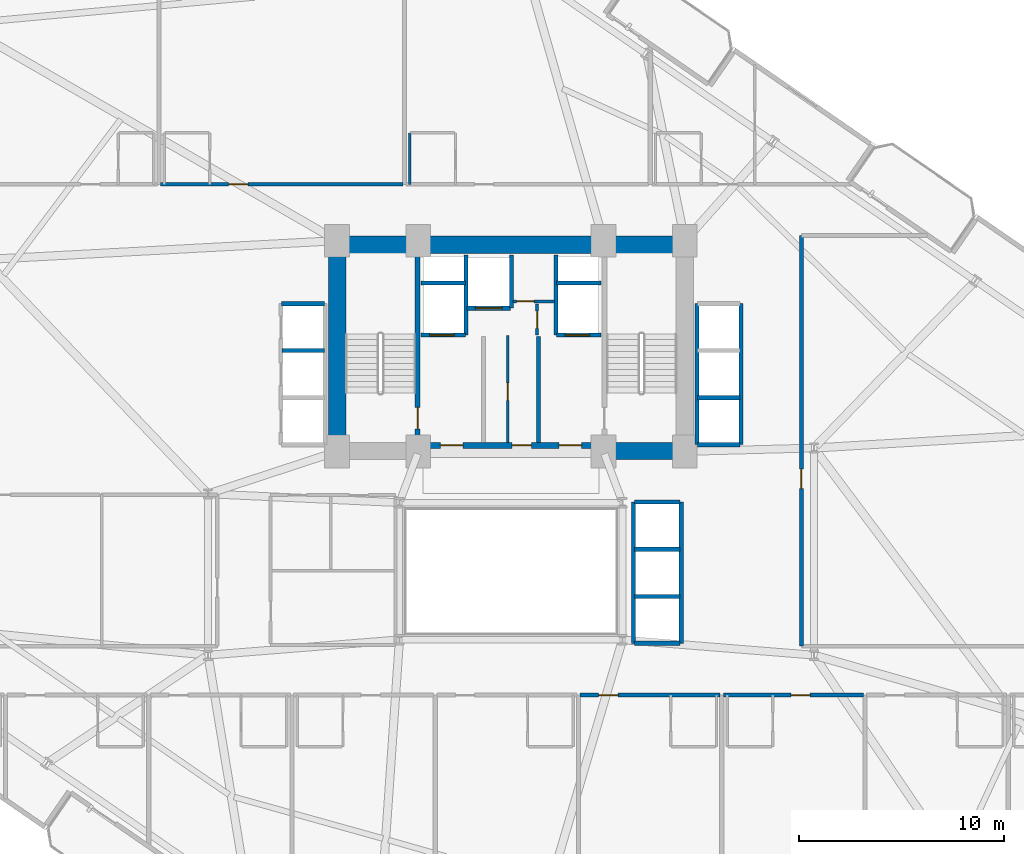
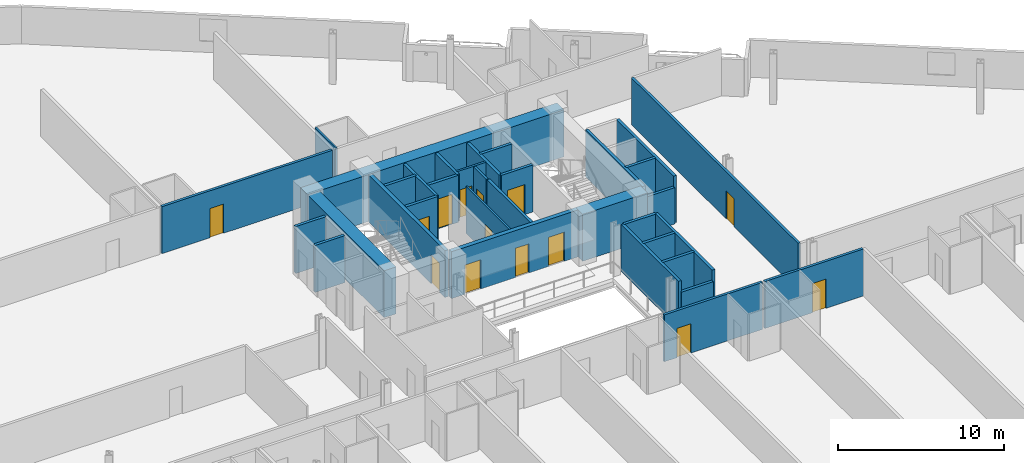
# One storey, part 19 of 25: 34 walls, 14 doors, 14 openings.
"""IFC4 building model written with IfcOpenShell, lengths in metres."""

from ifc_helpers import new_model, si_unit, direction, frame, frame_2d, origin, place, context, subcontext, project, spatial, rectangle, extrude, material, layer, layer_set, type_object, element, fill, save


model = new_model("IFC4")

# Units and contexts
model_context = context("Model", 3, precision=1e-05, world=origin(), true_north=direction((0.0, 1.0)))
body_context = subcontext(model_context, "Body", "Model", "MODEL_VIEW")
ifc_project = project(units=[si_unit("LENGTHUNIT", "METRE"), si_unit("AREAUNIT", "SQUARE_METRE"), si_unit("VOLUMEUNIT", "CUBIC_METRE"), si_unit("PLANEANGLEUNIT", "RADIAN"), si_unit("MASSUNIT", "GRAM", prefix="KILO")], contexts=[model_context])

# Site, building, storey
site_placement = place(None, origin())
site = spatial("IfcSite", under=ifc_project, at=site_placement, CompositionType="ELEMENT")
building_placement = place(site_placement, origin())
building = spatial("IfcBuilding", under=site, at=building_placement, Name="Varnelok Gate Tower", CompositionType="ELEMENT")
storey_placement = place(building_placement, frame((0.0, 0.0, 49.199951171875)))
storey = spatial("IfcBuildingStorey", under=building, at=storey_placement, Name="L11", CompositionType="ELEMENT", Elevation=49.199951171875)

# Wall, opening, door
ifc_material_1 = material(Name="Gypsum Plasterboard Acoustic Partition", Category="gypsum")
ifc_layer_1 = layer(ifc_material_1, 0.179931640625)
ifc_layer_set_1 = layer_set([ifc_layer_1], Name="Gypsum Plasterboard Acoustic Partition")
wall_type_1 = type_object("IfcWallType", Name="PW-CORR-180", PredefinedType="PARTITIONING", material=ifc_layer_set_1)
wall_1_placement = place(storey_placement, frame((42.580078125, 16.85009765625, 0.0), z_axis=(0.0, 0.0, 1.0), x_axis=(1.0, 0.0, 0.0)))
wall_1 = element("IfcWall", 1, at=wall_1_placement, inside=storey, type_object=wall_type_1, Name="Interior Partition", PredefinedType="PARTITIONING", context=body_context, shape_type="SweptSolid", body=[
    extrude(rectangle(XDim=6.83984375, YDim=0.179931640625, at=frame_2d((3.419921875, 0.0))), origin(), (0.0, 0.0, 1.0), 3.449951171875),
])
opening_1_placement = place(wall_1_placement, frame((0.89990234375, 0.0, 0.0)))
opening_1 = element("IfcOpeningElement", 2, at=opening_1_placement, cuts=wall_1, Name="Opening D-HT", PredefinedType="OPENING", context=body_context, shape_type="SweptSolid", body=[
    extrude(rectangle(XDim=0.949951171875, YDim=2.14990234375, at=frame_2d((0.47509765625, 1.074951171875))), frame((0.0, 0.099853515625, 0.0), z_axis=(0.0, -1.0, 0.0), x_axis=(1.0, 0.0, 0.0)), (0.0, 0.0, 1.0), 0.199951171875),
])
ifc_material_2 = material(Name="Engineered Hardwood Timber", Category="wood")
door_type_1 = type_object("IfcDoorType", Name="DR-HTL-950", OperationType="NOTDEFINED", PredefinedType="DOOR", material=ifc_material_2)
door_1_placement = place(opening_1_placement, origin())
door_1 = element("IfcDoor", 3, at=door_1_placement, inside=storey, type_object=door_type_1, Name="L11 Guest Room 06 Entrance Door", OperationType="SINGLE_SWING_LEFT", OverallHeight=2.14990234375, OverallWidth=0.949951171875, PredefinedType="DOOR", context=body_context, shape_type="SweptSolid", body=[
    extrude(rectangle(XDim=0.949951171875, YDim=2.14990234375, at=frame_2d((0.47509765625, 1.074951171875))), frame((0.0, 0.02490234375, 0.0), z_axis=(0.0, -1.0, 0.0), x_axis=(1.0, 0.0, 0.0)), (0.0, 0.0, 1.0), 0.050048828125),
])
fill(opening_1, door_1)

wall_2_placement = place(storey_placement, frame((49.580078125, 16.85009765625, 0.0), z_axis=(0.0, 0.0, 1.0), x_axis=(1.0, 0.0, 0.0)))
wall_2 = element("IfcWall", 4, at=wall_2_placement, inside=storey, type_object=wall_type_1, Name="Interior Partition", PredefinedType="PARTITIONING", context=body_context, shape_type="SweptSolid", body=[
    extrude(rectangle(XDim=6.83984375, YDim=0.179931640625, at=frame_2d((3.419921875, 0.0))), origin(), (0.0, 0.0, 1.0), 3.449951171875),
])
opening_2_placement = place(wall_2_placement, frame((3.2900390625, 0.0, 0.0)))
opening_2 = element("IfcOpeningElement", 5, at=opening_2_placement, cuts=wall_2, Name="Opening D-HT", PredefinedType="OPENING", context=body_context, shape_type="SweptSolid", body=[
    extrude(rectangle(XDim=0.949951171875, YDim=2.14990234375, at=frame_2d((0.47509765625, 1.074951171875))), frame((0.0, 0.099853515625, 0.0), z_axis=(0.0, -1.0, 0.0), x_axis=(1.0, 0.0, 0.0)), (0.0, 0.0, 1.0), 0.199951171875),
])
door_2_placement = place(opening_2_placement, origin())
door_2 = element("IfcDoor", 6, at=door_2_placement, inside=storey, type_object=door_type_1, Name="L11 Guest Room 07 Entrance Door", OperationType="SINGLE_SWING_RIGHT", OverallHeight=2.14990234375, OverallWidth=0.949951171875, PredefinedType="DOOR", context=body_context, shape_type="SweptSolid", body=[
    extrude(rectangle(XDim=0.949951171875, YDim=2.14990234375, at=frame_2d((0.47509765625, 1.074951171875))), frame((0.0, 0.02490234375, 0.0), z_axis=(0.0, -1.0, 0.0), x_axis=(1.0, 0.0, 0.0)), (0.0, 0.0, 1.0), 0.050048828125),
])
fill(opening_2, door_2)

wall_3_placement = place(storey_placement, frame((22.080078125, 41.800048828125, 0.0), z_axis=(0.0, 0.0, 1.0), x_axis=(1.0, 0.0, 0.0)))
wall_3 = element("IfcWall", 7, at=wall_3_placement, inside=storey, type_object=wall_type_1, Name="Interior Partition", PredefinedType="PARTITIONING", context=body_context, shape_type="SweptSolid", body=[
    extrude(rectangle(XDim=11.83984375, YDim=0.179931640625, at=frame_2d((5.919921875, 0.0))), origin(), (0.0, 0.0, 1.0), 3.449951171875),
])
opening_3_placement = place(wall_3_placement, frame((3.326416015625, 0.0, 0.0)))
opening_3 = element("IfcOpeningElement", 8, at=opening_3_placement, cuts=wall_3, Name="Opening D-HT", PredefinedType="OPENING", context=body_context, shape_type="SweptSolid", body=[
    extrude(rectangle(XDim=0.949951171875, YDim=2.14990234375, at=frame_2d((0.47509765625, 1.074951171875))), frame((0.0, 0.099853515625, 0.0), z_axis=(0.0, -1.0, 0.0), x_axis=(1.0, 0.0, 0.0)), (0.0, 0.0, 1.0), 0.199951171875),
])
door_3_placement = place(opening_3_placement, origin())
door_3 = element("IfcDoor", 9, at=door_3_placement, inside=storey, type_object=door_type_1, Name="L11 Guest Room 11 Entrance Door", OperationType="SINGLE_SWING_RIGHT", OverallHeight=2.14990234375, OverallWidth=0.949951171875, PredefinedType="DOOR", context=body_context, shape_type="SweptSolid", body=[
    extrude(rectangle(XDim=0.949951171875, YDim=2.14990234375, at=frame_2d((0.47509765625, 1.074951171875))), frame((0.0, 0.02490234375, 0.0), z_axis=(0.0, -1.0, 0.0), x_axis=(1.0, 0.0, 0.0)), (0.0, 0.0, 1.0), 0.050048828125),
])
fill(opening_3, door_3)

wall_4_placement = place(storey_placement, frame((53.389892578125, 19.239990234375, 0.0), z_axis=(0.0, 0.0, 1.0), x_axis=(0.0, 1.0, 0.0)))
wall_4 = element("IfcWall", 10, at=wall_4_placement, inside=storey, type_object=wall_type_1, Name="Interior Partition", PredefinedType="PARTITIONING", context=body_context, shape_type="SweptSolid", body=[
    extrude(rectangle(XDim=20.06005859375, YDim=0.179931640625, at=frame_2d((10.030029296875, 0.0))), origin(), (0.0, 0.0, 1.0), 3.449951171875),
])
opening_4_placement = place(wall_4_placement, frame((7.699951171875, 0.0, 0.0)))
opening_4 = element("IfcOpeningElement", 11, at=opening_4_placement, cuts=wall_4, Name="Opening D-I2", PredefinedType="OPENING", context=body_context, shape_type="SweptSolid", body=[
    extrude(rectangle(XDim=0.949951171875, YDim=2.050048828125, at=frame_2d((0.47509765625, 1.02490234375))), frame((0.0, 0.099853515625, 0.0), z_axis=(0.0, -1.0, 0.0), x_axis=(1.0, 0.0, 0.0)), (0.0, 0.0, 1.0), 0.199951171875),
])
door_type_2 = type_object("IfcDoorType", Name="DR-INT-950", OperationType="NOTDEFINED", PredefinedType="DOOR", material=ifc_material_2)
door_4_placement = place(opening_4_placement, origin())
door_4 = element("IfcDoor", 12, at=door_4_placement, inside=storey, type_object=door_type_2, Name="L11 East Club Door", OperationType="SINGLE_SWING_RIGHT", OverallHeight=2.050048828125, OverallWidth=0.949951171875, PredefinedType="DOOR", context=body_context, shape_type="SweptSolid", body=[
    extrude(rectangle(XDim=0.949951171875, YDim=2.050048828125, at=frame_2d((0.47509765625, 1.02490234375))), frame((0.0, 0.02490234375, 0.0), z_axis=(0.0, -1.0, 0.0), x_axis=(1.0, 0.0, 0.0)), (0.0, 0.0, 1.0), 0.050048828125),
])
fill(opening_4, door_4)

# Wall
ifc_layer_2 = layer(ifc_material_1, 0.114990234375)
ifc_layer_set_2 = layer_set([ifc_layer_2], Name="Gypsum Plasterboard Acoustic Partition")
wall_type_2 = type_object("IfcWallType", Name="PW-ENS-125", PredefinedType="PARTITIONING", material=ifc_layer_set_2)
wall_5_placement = place(storey_placement, frame((34.260009765625, 41.800048828125, 0.0), z_axis=(0.0, 0.0, 1.0), x_axis=(0.0, 1.0, 0.0)))
element("IfcWall", 13, at=wall_5_placement, inside=storey, type_object=wall_type_2, Name="Interior Partition", PredefinedType="PARTITIONING", context=body_context, shape_type="SweptSolid", body=[
    extrude(rectangle(XDim=2.52001953125, YDim=0.114990234375, at=frame_2d((1.260009765625, 0.0))), origin(), (0.0, 0.0, 1.0), 3.449951171875),
])

# Wall, opening, door
ifc_layer_3 = layer(ifc_material_1, 0.125)
ifc_layer_set_3 = layer_set([ifc_layer_3], Name="Gypsum Plasterboard Acoustic Partition")
wall_type_3 = type_object("IfcWallType", Name="PW-PART-125", PredefinedType="PARTITIONING", material=ifc_layer_set_3)
wall_6_placement = place(storey_placement, frame((39.050048828125, 29.199951171875, 0.0), z_axis=(0.0, 0.0, 1.0), x_axis=(0.0, 1.0, 0.0)))
wall_6 = element("IfcWall", 14, at=wall_6_placement, inside=storey, type_object=wall_type_3, Name="Interior Partition", PredefinedType="PARTITIONING", context=body_context, shape_type="SweptSolid", body=[
    extrude(rectangle(XDim=5.219970703125, YDim=0.125, at=frame_2d((2.60986328125, 0.0))), origin(), (0.0, 0.0, 1.0), 3.449951171875),
])
opening_5_placement = place(wall_6_placement, frame((2.050048828125, 0.0, 0.0)))
opening_5 = element("IfcOpeningElement", 15, at=opening_5_placement, cuts=wall_6, Name="Opening D-RS", PredefinedType="OPENING", context=body_context, shape_type="SweptSolid", body=[
    extrude(rectangle(XDim=0.85009765625, YDim=2.050048828125, at=frame_2d((0.425048828125, 1.02490234375))), frame((0.0, 0.072509765625, 0.0), z_axis=(0.0, -1.0, 0.0), x_axis=(1.0, 0.0, 0.0)), (0.0, 0.0, 1.0), 0.14501953125),
])
ifc_material_3 = material(Name="Galvanized Steel Grade S350GD", Category="steel")
door_type_3 = type_object("IfcDoorType", Name="DR-RISER-850", OperationType="NOTDEFINED", PredefinedType="DOOR", material=ifc_material_3)
door_5_placement = place(opening_5_placement, origin())
door_5 = element("IfcDoor", 16, at=door_5_placement, inside=storey, type_object=door_type_3, Name="L11 Housekeeping Linen Door", OperationType="SINGLE_SWING_LEFT", OverallHeight=2.050048828125, OverallWidth=0.85009765625, PredefinedType="DOOR", context=body_context, shape_type="SweptSolid", body=[
    extrude(rectangle(XDim=0.85009765625, YDim=2.050048828125, at=frame_2d((0.425048828125, 1.02490234375))), frame((0.0, 0.02490234375, 0.0), z_axis=(0.0, -1.0, 0.0), x_axis=(1.0, 0.0, 0.0)), (0.0, 0.0, 1.0), 0.050048828125),
])
fill(opening_5, door_5)

ifc_layer_4 = layer(ifc_material_1, 0.14990234375)
ifc_layer_set_4 = layer_set([ifc_layer_4], Name="Gypsum Plasterboard Acoustic Partition")
wall_type_4 = type_object("IfcWallType", Name="PW-PART-150", PredefinedType="PARTITIONING", material=ifc_layer_set_4)
wall_7_placement = place(storey_placement, frame((39.300048828125, 36.080078125, 0.0), z_axis=(0.0, 0.0, 1.0), x_axis=(1.0, 0.0, 0.0)))
wall_7 = element("IfcWall", 17, at=wall_7_placement, inside=storey, type_object=wall_type_4, Name="L11 Electrical Closet South Wall", PredefinedType="PARTITIONING", context=body_context, shape_type="SweptSolid", body=[
    extrude(rectangle(XDim=2.02001953125, YDim=0.14990234375, at=frame_2d((1.010009765625, 0.0))), origin(), (0.0, 0.0, 1.0), 3.449951171875),
])
opening_6_placement = place(wall_7_placement, frame((0.179931640625, 0.0, 0.0)))
opening_6 = element("IfcOpeningElement", 18, at=opening_6_placement, cuts=wall_7, Name="Opening D-RS", PredefinedType="OPENING", context=body_context, shape_type="SweptSolid", body=[
    extrude(rectangle(XDim=0.85009765625, YDim=2.050048828125, at=frame_2d((0.425048828125, 1.02490234375))), frame((0.0, 0.0849609375, 0.0), z_axis=(0.0, -1.0, 0.0), x_axis=(1.0, 0.0, 0.0)), (0.0, 0.0, 1.0), 0.169921875),
])
door_6_placement = place(opening_6_placement, origin())
door_6 = element("IfcDoor", 19, at=door_6_placement, inside=storey, type_object=door_type_3, Name="L11 Electrical Closet Door", OperationType="SINGLE_SWING_RIGHT", OverallHeight=2.050048828125, OverallWidth=0.85009765625, PredefinedType="DOOR", context=body_context, shape_type="SweptSolid", body=[
    extrude(rectangle(XDim=0.85009765625, YDim=2.050048828125, at=frame_2d((0.425048828125, 1.02490234375))), frame((0.0, 0.02490234375, 0.0), z_axis=(0.0, -1.0, 0.0), x_axis=(1.0, 0.0, 0.0)), (0.0, 0.0, 1.0), 0.050048828125),
])
fill(opening_6, door_6)

wall_8_placement = place(storey_placement, frame((40.47998046875, 34.43994140625, 0.0), z_axis=(0.0, 0.0, 1.0), x_axis=(0.0, 1.0, 0.0)))
wall_8 = element("IfcWall", 20, at=wall_8_placement, inside=storey, type_object=wall_type_4, Name="L11 Telecoms Closet West Wall", PredefinedType="PARTITIONING", context=body_context, shape_type="SweptSolid", body=[
    extrude(rectangle(XDim=1.52001953125, YDim=0.14990234375, at=frame_2d((0.760009765625, 0.0))), origin(), (0.0, 0.0, 1.0), 3.449951171875),
])
opening_7_placement = place(wall_8_placement, frame((0.320068359375, 0.0, 0.0)))
opening_7 = element("IfcOpeningElement", 21, at=opening_7_placement, cuts=wall_8, Name="Opening D-RS", PredefinedType="OPENING", context=body_context, shape_type="SweptSolid", body=[
    extrude(rectangle(XDim=0.85009765625, YDim=2.050048828125, at=frame_2d((0.425048828125, 1.02490234375))), frame((0.0, 0.0849609375, 0.0), z_axis=(0.0, -1.0, 0.0), x_axis=(1.0, 0.0, 0.0)), (0.0, 0.0, 1.0), 0.169921875),
])
door_7_placement = place(opening_7_placement, origin())
door_7 = element("IfcDoor", 22, at=door_7_placement, inside=storey, type_object=door_type_3, Name="L11 Telecoms Closet Door", OperationType="SINGLE_SWING_LEFT", OverallHeight=2.050048828125, OverallWidth=0.85009765625, PredefinedType="DOOR", context=body_context, shape_type="SweptSolid", body=[
    extrude(rectangle(XDim=0.85009765625, YDim=2.050048828125, at=frame_2d((0.425048828125, 1.02490234375))), frame((0.0, 0.02490234375, 0.0), z_axis=(0.0, -1.0, 0.0), x_axis=(1.0, 0.0, 0.0)), (0.0, 0.0, 1.0), 0.050048828125),
])
fill(opening_7, door_7)

# Wall
ifc_material_4 = material(Name="Concrete C35/45", Category="concrete")
ifc_layer_5 = layer(ifc_material_4, 0.199951171875)
ifc_layer_set_5 = layer_set([ifc_layer_5], Name="Concrete C35/45")
wall_type_5 = type_object("IfcWallType", Name="PW-SHAFT-200", PredefinedType="PARTITIONING", material=ifc_layer_set_5)
wall_9_placement = place(storey_placement, frame((40.5400390625, 29.199951171875, 0.0), z_axis=(0.0, 0.0, 1.0), x_axis=(0.0, 1.0, 0.0)))
element("IfcWall", 23, at=wall_9_placement, inside=storey, type_object=wall_type_5, Name="L11 East FF Lobby Rated Wall", PredefinedType="PARTITIONING", context=body_context, shape_type="SweptSolid", body=[
    extrude(rectangle(XDim=5.179931640625, YDim=0.199951171875, at=frame_2d((2.58984375, 0.0))), origin(), (0.0, 0.0, 1.0), 3.449951171875),
])

# Wall, opening, door
wall_10_placement = place(storey_placement, frame((34.800048828125, 34.43994140625, 0.0), z_axis=(0.0, 0.0, 1.0), x_axis=(1.0, 0.0, 0.0)))
wall_10 = element("IfcWall", 24, at=wall_10_placement, inside=storey, type_object=wall_type_5, Name="L11 FF1 Shaft Front Wall", PredefinedType="PARTITIONING", context=body_context, shape_type="SweptSolid", body=[
    extrude(rectangle(XDim=2.179931640625, YDim=0.199951171875, at=frame_2d((1.08984375, 0.0))), origin(), (0.0, 0.0, 1.0), 3.449951171875),
])
opening_8_placement = place(wall_10_placement, frame((0.419921875, 0.0, 0.0)))
opening_8 = element("IfcOpeningElement", 25, at=opening_8_placement, cuts=wall_10, Name="Opening LD-FF1", PredefinedType="OPENING", context=body_context, shape_type="SweptSolid", body=[
    extrude(rectangle(XDim=1.199951171875, YDim=2.199951171875, at=frame_2d((0.60009765625, 1.10009765625))), frame((0.0, 0.10986328125, 0.0), z_axis=(0.0, -1.0, 0.0), x_axis=(1.0, 0.0, 0.0)), (0.0, 0.0, 1.0), 0.219970703125),
])
door_type_4 = type_object("IfcDoorType", Name="DR-LIFT-FF1200", OperationType="SLIDING_TO_LEFT", PredefinedType="DOOR", material=ifc_material_3)
door_8_placement = place(opening_8_placement, origin())
door_8 = element("IfcDoor", 26, at=door_8_placement, inside=storey, type_object=door_type_4, Name="L11 Firefighting Lift Landing Door LD-FF1", OperationType="SLIDING_TO_LEFT", OverallHeight=2.199951171875, OverallWidth=1.199951171875, PredefinedType="DOOR", context=body_context, shape_type="SweptSolid", body=[
    extrude(rectangle(XDim=1.199951171875, YDim=2.199951171875, at=frame_2d((0.60009765625, 1.10009765625))), frame((0.0, 0.02490234375, 0.0), z_axis=(0.0, -1.0, 0.0), x_axis=(1.0, 0.0, 0.0)), (0.0, 0.0, 1.0), 0.050048828125),
])
fill(opening_8, door_8)

# Walls
wall_11_placement = place(storey_placement, frame((34.800048828125, 36.97998046875, 0.0), z_axis=(0.0, 0.0, 1.0), x_axis=(1.0, 0.0, 0.0)))
element("IfcWall", 27, at=wall_11_placement, inside=storey, type_object=wall_type_5, Name="L11 FF1 Shaft North Wall", PredefinedType="PARTITIONING", context=body_context, shape_type="SweptSolid", body=[
    extrude(rectangle(XDim=2.179931640625, YDim=0.199951171875, at=frame_2d((1.08984375, 0.0))), origin(), (0.0, 0.0, 1.0), 3.449951171875),
])
wall_12_placement = place(storey_placement, frame((37.0, 34.43994140625, 0.0), z_axis=(0.0, 0.0, 1.0), x_axis=(0.0, 1.0, 0.0)))
element("IfcWall", 28, at=wall_12_placement, inside=storey, type_object=wall_type_5, Name="L11 FF1 Shaft Side Wall", PredefinedType="PARTITIONING", context=body_context, shape_type="SweptSolid", body=[
    extrude(rectangle(XDim=3.900146484375, YDim=0.199951171875, at=frame_2d((1.9501953125, 0.0))), origin(), (0.0, 0.0, 1.0), 3.449951171875),
])

# Wall, opening, door
wall_13_placement = place(storey_placement, frame((41.419921875, 34.43994140625, 0.0), z_axis=(0.0, 0.0, 1.0), x_axis=(1.0, 0.0, 0.0)))
wall_13 = element("IfcWall", 29, at=wall_13_placement, inside=storey, type_object=wall_type_5, Name="L11 FF2 Shaft Front Wall", PredefinedType="PARTITIONING", context=body_context, shape_type="SweptSolid", body=[
    extrude(rectangle(XDim=2.18017578125, YDim=0.199951171875, at=frame_2d((1.090087890625, 0.0))), origin(), (0.0, 0.0, 1.0), 3.449951171875),
])
opening_9_placement = place(wall_13_placement, frame((0.419921875, 0.0, 0.0)))
opening_9 = element("IfcOpeningElement", 30, at=opening_9_placement, cuts=wall_13, Name="Opening LD-FF2", PredefinedType="OPENING", context=body_context, shape_type="SweptSolid", body=[
    extrude(rectangle(XDim=1.199951171875, YDim=2.199951171875, at=frame_2d((0.60009765625, 1.10009765625))), frame((0.0, 0.10986328125, 0.0), z_axis=(0.0, -1.0, 0.0), x_axis=(1.0, 0.0, 0.0)), (0.0, 0.0, 1.0), 0.219970703125),
])
door_9_placement = place(opening_9_placement, origin())
door_9 = element("IfcDoor", 31, at=door_9_placement, inside=storey, type_object=door_type_4, Name="L11 Firefighting Lift Landing Door LD-FF2", OperationType="SLIDING_TO_LEFT", OverallHeight=2.199951171875, OverallWidth=1.199951171875, PredefinedType="DOOR", context=body_context, shape_type="SweptSolid", body=[
    extrude(rectangle(XDim=1.199951171875, YDim=2.199951171875, at=frame_2d((0.60009765625, 1.10009765625))), frame((0.0, 0.02490234375, 0.0), z_axis=(0.0, -1.0, 0.0), x_axis=(1.0, 0.0, 0.0)), (0.0, 0.0, 1.0), 0.050048828125),
])
fill(opening_9, door_9)

# Walls
wall_14_placement = place(storey_placement, frame((41.419921875, 36.97998046875, 0.0), z_axis=(0.0, 0.0, 1.0), x_axis=(1.0, 0.0, 0.0)))
element("IfcWall", 32, at=wall_14_placement, inside=storey, type_object=wall_type_5, Name="L11 FF2 Shaft North Wall", PredefinedType="PARTITIONING", context=body_context, shape_type="SweptSolid", body=[
    extrude(rectangle(XDim=2.18017578125, YDim=0.199951171875, at=frame_2d((1.090087890625, 0.0))), origin(), (0.0, 0.0, 1.0), 3.449951171875),
])
wall_15_placement = place(storey_placement, frame((41.39990234375, 34.43994140625, 0.0), z_axis=(0.0, 0.0, 1.0), x_axis=(0.0, 1.0, 0.0)))
element("IfcWall", 33, at=wall_15_placement, inside=storey, type_object=wall_type_5, Name="L11 FF2 Shaft Side Wall", PredefinedType="PARTITIONING", context=body_context, shape_type="SweptSolid", body=[
    extrude(rectangle(XDim=3.900146484375, YDim=0.199951171875, at=frame_2d((1.9501953125, 0.0))), origin(), (0.0, 0.0, 1.0), 3.449951171875),
])

# Wall, opening, door
wall_16_placement = place(storey_placement, frame((37.06005859375, 35.75, 0.0), z_axis=(0.0, 0.0, 1.0), x_axis=(1.0, 0.0, 0.0)))
wall_16 = element("IfcWall", 34, at=wall_16_placement, inside=storey, type_object=wall_type_5, Name="L11 SV1 Shaft Front Wall", PredefinedType="PARTITIONING", context=body_context, shape_type="SweptSolid", body=[
    extrude(rectangle(XDim=2.119873046875, YDim=0.199951171875, at=frame_2d((1.06005859375, 0.0))), origin(), (0.0, 0.0, 1.0), 3.449951171875),
])
opening_10_placement = place(wall_16_placement, frame((0.39990234375, 0.0, 0.0)))
opening_10 = element("IfcOpeningElement", 35, at=opening_10_placement, cuts=wall_16, Name="Opening LD-SV1", PredefinedType="OPENING", context=body_context, shape_type="SweptSolid", body=[
    extrude(rectangle(XDim=1.300048828125, YDim=2.199951171875, at=frame_2d((0.64990234375, 1.10009765625))), frame((0.0, 0.10986328125, 0.0), z_axis=(0.0, -1.0, 0.0), x_axis=(1.0, 0.0, 0.0)), (0.0, 0.0, 1.0), 0.219970703125),
])
door_type_5 = type_object("IfcDoorType", Name="DR-LIFT-SV1300", OperationType="SLIDING_TO_LEFT", PredefinedType="DOOR", material=ifc_material_3)
door_10_placement = place(opening_10_placement, origin())
door_10 = element("IfcDoor", 36, at=door_10_placement, inside=storey, type_object=door_type_5, Name="L11 Service Lift Landing Door LD-SV1", OperationType="SLIDING_TO_LEFT", OverallHeight=2.199951171875, OverallWidth=1.300048828125, PredefinedType="DOOR", context=body_context, shape_type="SweptSolid", body=[
    extrude(rectangle(XDim=1.300048828125, YDim=2.199951171875, at=frame_2d((0.64990234375, 1.10009765625))), frame((0.0, 0.02490234375, 0.0), z_axis=(0.0, -1.0, 0.0), x_axis=(1.0, 0.0, 0.0)), (0.0, 0.0, 1.0), 0.050048828125),
])
fill(opening_10, door_10)

# Walls
wall_17_placement = place(storey_placement, frame((39.219970703125, 35.75, 0.0), z_axis=(0.0, 0.0, 1.0), x_axis=(0.0, 1.0, 0.0)))
element("IfcWall", 37, at=wall_17_placement, inside=storey, type_object=wall_type_5, Name="L11 SV1 Shaft East Wall", PredefinedType="PARTITIONING", context=body_context, shape_type="SweptSolid", body=[
    extrude(rectangle(XDim=2.590087890625, YDim=0.199951171875, at=frame_2d((1.294921875, 0.0))), origin(), (0.0, 0.0, 1.0), 3.449951171875),
])
wall_18_placement = place(storey_placement, frame((28.02001953125, 33.675048828125, 0.0), z_axis=(0.0, 0.0, 1.0), x_axis=(1.0, 0.0, 0.0)))
element("IfcWall", 38, at=wall_18_placement, inside=storey, type_object=wall_type_5, Name="L11 PL2 Divider", PredefinedType="PARTITIONING", context=body_context, shape_type="SweptSolid", body=[
    extrude(rectangle(XDim=2.06005859375, YDim=0.199951171875, at=frame_2d((1.030029296875, 0.0))), origin(), (0.0, 0.0, 1.0), 3.449951171875),
])
wall_19_placement = place(storey_placement, frame((28.0, 35.969970703125, 0.0), z_axis=(0.0, 0.0, 1.0), x_axis=(1.0, 0.0, 0.0)))
element("IfcWall", 39, at=wall_19_placement, inside=storey, type_object=wall_type_5, Name="L11 PL Bank North Wall", PredefinedType="PARTITIONING", context=body_context, shape_type="SweptSolid", body=[
    extrude(rectangle(XDim=2.10009765625, YDim=0.199951171875, at=frame_2d((1.050048828125, 0.0))), origin(), (0.0, 0.0, 1.0), 3.449951171875),
])
wall_20_placement = place(storey_placement, frame((48.320068359375, 31.375, 0.0), z_axis=(0.0, 0.0, 1.0), x_axis=(1.0, 0.0, 0.0)))
element("IfcWall", 40, at=wall_20_placement, inside=storey, type_object=wall_type_5, Name="L11 PM1 Divider", PredefinedType="PARTITIONING", context=body_context, shape_type="SweptSolid", body=[
    extrude(rectangle(XDim=2.059814453125, YDim=0.199951171875, at=frame_2d((1.02978515625, 0.0))), origin(), (0.0, 0.0, 1.0), 3.449951171875),
])
wall_21_placement = place(storey_placement, frame((48.320068359375, 29.080078125, 0.0), z_axis=(0.0, 0.0, 1.0), x_axis=(1.0, 0.0, 0.0)))
element("IfcWall", 41, at=wall_21_placement, inside=storey, type_object=wall_type_5, Name="L11 PM Bank South Wall", PredefinedType="PARTITIONING", context=body_context, shape_type="SweptSolid", body=[
    extrude(rectangle(XDim=2.059814453125, YDim=0.199951171875, at=frame_2d((1.02978515625, 0.0))), origin(), (0.0, 0.0, 1.0), 2.662109375),
])
for number, where, z_axis, x_axis, name in (
    (42, (48.280029296875, 29.080078125, 0.0), (0.0, 0.0, 1.0), (0.0, 1.0, 0.0), "L11 PM Bank Back Wall"),
    (43, (50.43994140625, 29.080078125, 0.0), (0.0, 0.0, 1.0), (0.0, 1.0, 0.0), "L11 PM Bank Front Wall"),
):
    element("IfcWall", number, at=place(storey_placement, frame(where, z_axis=z_axis, x_axis=x_axis)), inside=storey, type_object=wall_type_5, Name=name, PredefinedType="PARTITIONING", context=body_context, shape_type="SweptSolid", body=[
        extrude(rectangle(XDim=6.889892578125, YDim=0.199951171875, at=frame_2d((3.44482421875, 0.0))), origin(), (0.0, 0.0, 1.0), 3.449951171875),
    ])
for number, where, z_axis, x_axis, name in (
    (44, (45.239990234375, 21.675048828125, 0.0), (0.0, 0.0, 1.0), (1.0, 0.0, 0.0), "L11 PH1 Divider"),
    (45, (45.239990234375, 23.97509765625, 0.0), (0.0, 0.0, 1.0), (1.0, 0.0, 0.0), "L11 PH2 Divider"),
):
    element("IfcWall", number, at=place(storey_placement, frame(where, z_axis=z_axis, x_axis=x_axis)), inside=storey, type_object=wall_type_5, Name=name, PredefinedType="PARTITIONING", context=body_context, shape_type="SweptSolid", body=[
        extrude(rectangle(XDim=2.219970703125, YDim=0.199951171875, at=frame_2d((1.10986328125, 0.0))), origin(), (0.0, 0.0, 1.0), 3.449951171875),
    ])
wall_22_placement = place(storey_placement, frame((45.239990234375, 19.3798828125, 0.0), z_axis=(0.0, 0.0, 1.0), x_axis=(1.0, 0.0, 0.0)))
element("IfcWall", 46, at=wall_22_placement, inside=storey, type_object=wall_type_5, Name="L11 PH Bank South Wall", PredefinedType="PARTITIONING", context=body_context, shape_type="SweptSolid", body=[
    extrude(rectangle(XDim=2.219970703125, YDim=0.199951171875, at=frame_2d((1.10986328125, 0.0))), origin(), (0.0, 0.0, 1.0), 2.662109375),
])
wall_23_placement = place(storey_placement, frame((45.239990234375, 26.280029296875, 0.0), z_axis=(0.0, 0.0, 1.0), x_axis=(1.0, 0.0, 0.0)))
element("IfcWall", 47, at=wall_23_placement, inside=storey, type_object=wall_type_5, Name="L11 PH Bank North Wall", PredefinedType="PARTITIONING", context=body_context, shape_type="SweptSolid", body=[
    extrude(rectangle(XDim=2.219970703125, YDim=0.199951171875, at=frame_2d((1.10986328125, 0.0))), origin(), (0.0, 0.0, 1.0), 3.449951171875),
])
for number, where, z_axis, x_axis, name in (
    (48, (45.179931640625, 19.3798828125, 0.0), (0.0, 0.0, 1.0), (0.0, 1.0, 0.0), "L11 PH Bank Atrium Wall"),
    (49, (47.52001953125, 19.3798828125, 0.0), (0.0, 0.0, 1.0), (0.0, 1.0, 0.0), "L11 PH Bank Front Wall"),
):
    element("IfcWall", number, at=place(storey_placement, frame(where, z_axis=z_axis, x_axis=x_axis)), inside=storey, type_object=wall_type_5, Name=name, PredefinedType="PARTITIONING", context=body_context, shape_type="SweptSolid", body=[
        extrude(rectangle(XDim=6.900146484375, YDim=0.199951171875, at=frame_2d((3.4501953125, 0.0))), origin(), (0.0, 0.0, 1.0), 3.449951171875),
    ])
ifc_material_5 = material(Name="Concrete C70/85", Category="concrete")
ifc_layer_6 = layer(ifc_material_5, 0.85009765625)
ifc_layer_set_6 = layer_set([ifc_layer_6], Name="Concrete C70/85")
wall_type_6 = type_object("IfcWallType", Name="SW-CORE-850", PredefinedType="SHEAR", material=ifc_layer_set_6)
wall_24_placement = place(storey_placement, frame((30.280029296875, 38.844970703125, 0.0), z_axis=(0.0, 0.0, 1.0), x_axis=(1.0, 0.0, 0.0)))
element("IfcWall", 50, at=wall_24_placement, inside=storey, type_object=wall_type_6, Name="L11 Rear Core North Shear Wall", PredefinedType="SHEAR", context=body_context, shape_type="SweptSolid", body=[
    extrude(rectangle(XDim=17.840087890625, YDim=0.85009765625, at=frame_2d((8.919921875, 0.0))), origin(), (0.0, 0.0, 1.0), 3.449951171875),
])
wall_25_placement = place(storey_placement, frame((30.705078125, 29.199951171875, 0.0), z_axis=(0.0, 0.0, 1.0), x_axis=(0.0, 1.0, 0.0)))
element("IfcWall", 51, at=wall_25_placement, inside=storey, type_object=wall_type_6, Name="L11 Rear Core West Shear Wall", PredefinedType="SHEAR", context=body_context, shape_type="SweptSolid", body=[
    extrude(rectangle(XDim=9.219970703125, YDim=0.85009765625, at=frame_2d((4.60986328125, 0.0))), origin(), (0.0, 0.0, 1.0), 3.449951171875),
])
wall_26_placement = place(storey_placement, frame((43.60009765625, 28.77490234375, 0.0), z_axis=(0.0, 0.0, 1.0), x_axis=(1.0, 0.0, 0.0)))
element("IfcWall", 52, at=wall_26_placement, inside=storey, type_object=wall_type_6, Name="L11 Rear Core South-East Shear Wall", PredefinedType="SHEAR", context=body_context, shape_type="SweptSolid", body=[
    extrude(rectangle(XDim=4.52001953125, YDim=0.85009765625, at=frame_2d((2.260009765625, 0.0))), origin(), (0.0, 0.0, 1.0), 3.449951171875),
])

# Wall, opening, door
ifc_material_6 = material(Name="Concrete C60/75", Category="concrete")
ifc_layer_7 = layer(ifc_material_6, 0.25)
ifc_layer_set_7 = layer_set([ifc_layer_7], Name="Concrete C60/75")
wall_type_7 = type_object("IfcWallType", Name="SW-SHAFT-250", PredefinedType="SHEAR", material=ifc_layer_set_7)
wall_27_placement = place(storey_placement, frame((34.639892578125, 29.199951171875, 0.0), z_axis=(0.0, 0.0, 1.0), x_axis=(0.0, 1.0, 0.0)))
wall_27 = element("IfcWall", 53, at=wall_27_placement, inside=storey, type_object=wall_type_7, Name="L11 Stair ST-1 East Shear Wall", PredefinedType="SHEAR", context=body_context, shape_type="SweptSolid", body=[
    extrude(rectangle(XDim=9.219970703125, YDim=0.25, at=frame_2d((4.60986328125, 0.0))), origin(), (0.0, 0.0, 1.0), 3.449951171875),
])
opening_11_placement = place(wall_27_placement, frame((0.64990234375, 0.0, 0.0)))
opening_11 = element("IfcOpeningElement", 54, at=opening_11_placement, cuts=wall_27, Name="Opening D-ST", PredefinedType="OPENING", context=body_context, shape_type="SweptSolid", body=[
    extrude(rectangle(XDim=1.050048828125, YDim=2.14990234375, at=frame_2d((0.52490234375, 1.074951171875))), frame((0.0, 0.135009765625, 0.0), z_axis=(0.0, -1.0, 0.0), x_axis=(1.0, 0.0, 0.0)), (0.0, 0.0, 1.0), 0.27001953125),
])
door_type_6 = type_object("IfcDoorType", Name="DR-STAIR-1050", OperationType="NOTDEFINED", PredefinedType="DOOR", material=ifc_material_3)
door_11_placement = place(opening_11_placement, origin())
door_11 = element("IfcDoor", 55, at=door_11_placement, inside=storey, type_object=door_type_6, Name="L11 Exit Stair ST-1 Fire Door", OperationType="SINGLE_SWING_LEFT", OverallHeight=2.14990234375, OverallWidth=1.050048828125, PredefinedType="DOOR", context=body_context, shape_type="SweptSolid", body=[
    extrude(rectangle(XDim=1.050048828125, YDim=2.14990234375, at=frame_2d((0.52490234375, 1.074951171875))), frame((0.0, 0.02490234375, 0.0), z_axis=(0.0, -1.0, 0.0), x_axis=(1.0, 0.0, 0.0)), (0.0, 0.0, 1.0), 0.050048828125),
])
fill(opening_11, door_11)

# Wall, openings, doors
ifc_layer_8 = layer(ifc_material_6, 0.300048828125)
ifc_layer_set_8 = layer_set([ifc_layer_8], Name="Concrete C60/75")
wall_type_8 = type_object("IfcWallType", Name="SW-SHAFT-300", PredefinedType="SHEAR", material=ifc_layer_set_8)
wall_28_placement = place(storey_placement, frame((34.800048828125, 29.050048828125, 0.0), z_axis=(0.0, 0.0, 1.0), x_axis=(1.0, 0.0, 0.0)))
wall_28 = element("IfcWall", 56, at=wall_28_placement, inside=storey, type_object=wall_type_8, Name="L11 Rear Core Central Lobby Shear Wall", PredefinedType="SHEAR", context=body_context, shape_type="SweptSolid", body=[
    extrude(rectangle(XDim=8.800048828125, YDim=0.300048828125, at=frame_2d((4.39990234375, 0.0))), origin(), (0.0, 0.0, 1.0), 3.449951171875),
])
opening_12_placement = place(wall_28_placement, frame((0.949951171875, 0.0, 0.0)))
opening_12 = element("IfcOpeningElement", 57, at=opening_12_placement, cuts=wall_28, Name="Opening D-FF", PredefinedType="OPENING", context=body_context, shape_type="SweptSolid", body=[
    extrude(rectangle(XDim=1.10009765625, YDim=2.14990234375, at=frame_2d((0.550048828125, 1.074951171875))), frame((0.0, 0.159912109375, 0.0), z_axis=(0.0, -1.0, 0.0), x_axis=(1.0, 0.0, 0.0)), (0.0, 0.0, 1.0), 0.320068359375),
])
opening_13_placement = place(wall_28_placement, frame((6.75, 0.0, 0.0)))
opening_13 = element("IfcOpeningElement", 58, at=opening_13_placement, cuts=wall_28, Name="Opening D-FF", PredefinedType="OPENING", context=body_context, shape_type="SweptSolid", body=[
    extrude(rectangle(XDim=1.10009765625, YDim=2.14990234375, at=frame_2d((0.550048828125, 1.074951171875))), frame((0.0, 0.159912109375, 0.0), z_axis=(0.0, -1.0, 0.0), x_axis=(1.0, 0.0, 0.0)), (0.0, 0.0, 1.0), 0.320068359375),
])
opening_14_placement = place(wall_28_placement, frame((4.449951171875, 0.0, 0.0)))
opening_14 = element("IfcOpeningElement", 59, at=opening_14_placement, cuts=wall_28, Name="Opening D-CR", PredefinedType="OPENING", context=body_context, shape_type="SweptSolid", body=[
    extrude(rectangle(XDim=0.949951171875, YDim=2.14990234375, at=frame_2d((0.47509765625, 1.074951171875))), frame((0.0, 0.159912109375, 0.0), z_axis=(0.0, -1.0, 0.0), x_axis=(1.0, 0.0, 0.0)), (0.0, 0.0, 1.0), 0.320068359375),
])
door_type_7 = type_object("IfcDoorType", Name="DR-CORR-950", OperationType="NOTDEFINED", PredefinedType="DOOR", material=ifc_material_3)
door_12_placement = place(opening_14_placement, origin())
door_12 = element("IfcDoor", 60, at=door_12_placement, inside=storey, type_object=door_type_7, Name="L11 Core Service Passage Door", OperationType="SINGLE_SWING_LEFT", OverallHeight=2.14990234375, OverallWidth=0.949951171875, PredefinedType="DOOR", context=body_context, shape_type="SweptSolid", body=[
    extrude(rectangle(XDim=0.949951171875, YDim=2.14990234375, at=frame_2d((0.47509765625, 1.074951171875))), frame((0.0, 0.02490234375, 0.0), z_axis=(0.0, -1.0, 0.0), x_axis=(1.0, 0.0, 0.0)), (0.0, 0.0, 1.0), 0.050048828125),
])
fill(opening_14, door_12)
door_type_8 = type_object("IfcDoorType", Name="DR-FFLOB-1100", OperationType="NOTDEFINED", PredefinedType="DOOR", material=ifc_material_3)
door_13_placement = place(opening_12_placement, origin())
door_13 = element("IfcDoor", 61, at=door_13_placement, inside=storey, type_object=door_type_8, Name="L11 West Firefighting Lobby Fire Door", OperationType="SINGLE_SWING_RIGHT", OverallHeight=2.14990234375, OverallWidth=1.10009765625, PredefinedType="DOOR", context=body_context, shape_type="SweptSolid", body=[
    extrude(rectangle(XDim=1.10009765625, YDim=2.14990234375, at=frame_2d((0.550048828125, 1.074951171875))), frame((0.0, 0.02490234375, 0.0), z_axis=(0.0, -1.0, 0.0), x_axis=(1.0, 0.0, 0.0)), (0.0, 0.0, 1.0), 0.050048828125),
])
fill(opening_12, door_13)
door_14_placement = place(opening_13_placement, origin())
door_14 = element("IfcDoor", 62, at=door_14_placement, inside=storey, type_object=door_type_8, Name="L11 East Firefighting Lobby Fire Door", OperationType="SINGLE_SWING_LEFT", OverallHeight=2.14990234375, OverallWidth=1.10009765625, PredefinedType="DOOR", context=body_context, shape_type="SweptSolid", body=[
    extrude(rectangle(XDim=1.10009765625, YDim=2.14990234375, at=frame_2d((0.550048828125, 1.074951171875))), frame((0.0, 0.02490234375, 0.0), z_axis=(0.0, -1.0, 0.0), x_axis=(1.0, 0.0, 0.0)), (0.0, 0.0, 1.0), 0.050048828125),
])
fill(opening_13, door_14)

save(model, "model.ifc")
